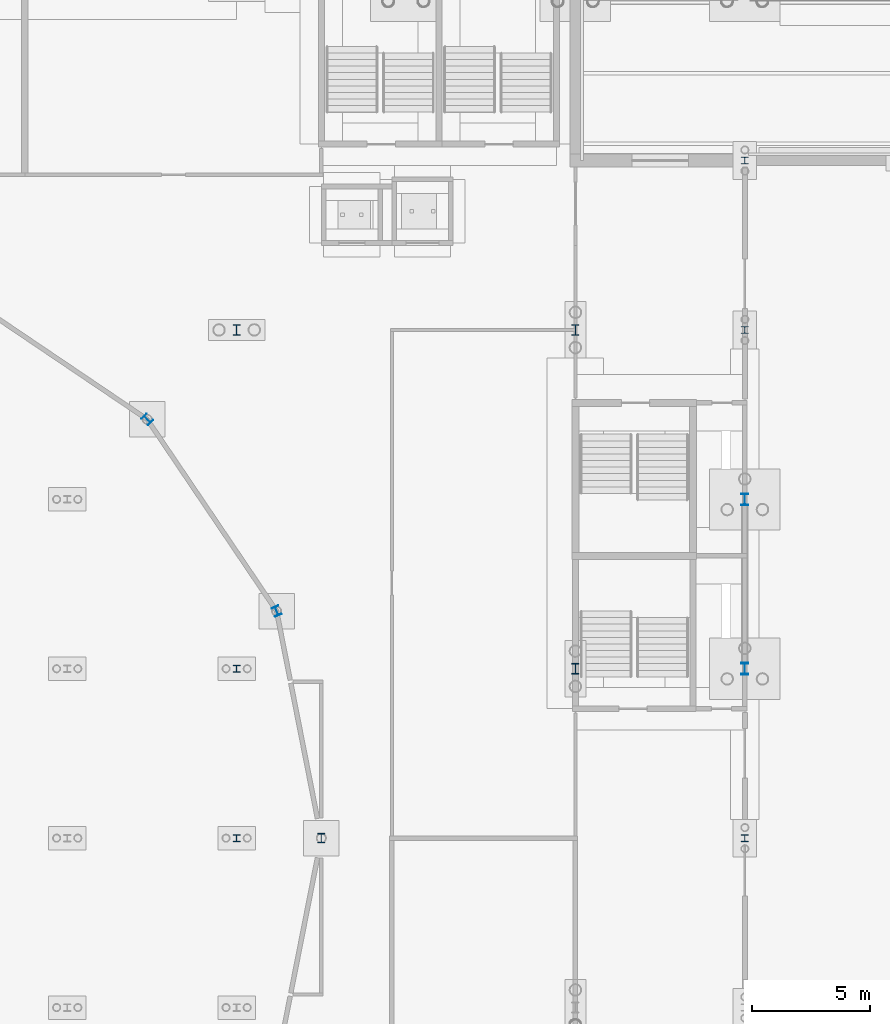
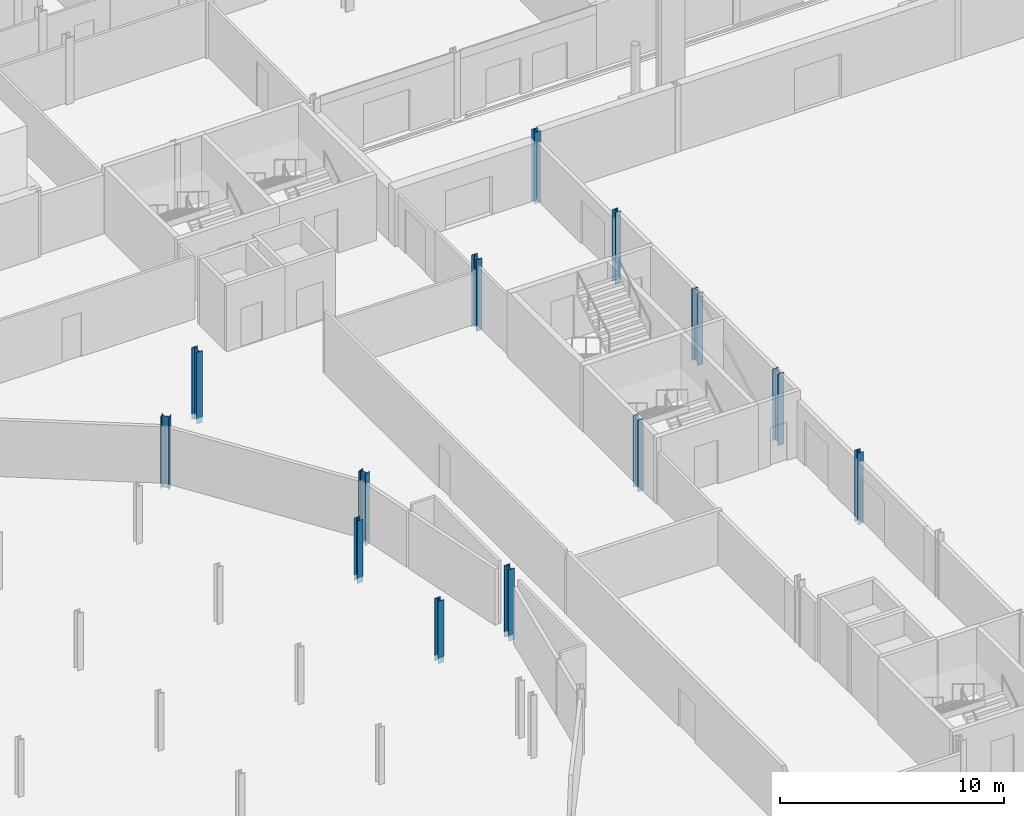
# One storey, part 49 of 148: 13 columns.
"""IFC4 building model written with IfcOpenShell, lengths in metres."""

from ifc_helpers import new_model, si_unit, direction, frame, origin, origin_2d, place, context, subcontext, project, spatial, i_section, extrude, material, material_profile, profile_set, type_object, element, save


model = new_model("IFC4")

# Units and contexts
model_context = context("Model", 3, precision=1e-05, world=origin(), true_north=direction((0.0, 1.0)))
body_context = subcontext(model_context, "Body", "Model", "MODEL_VIEW")
ifc_project = project(units=[si_unit("LENGTHUNIT", "METRE"), si_unit("AREAUNIT", "SQUARE_METRE"), si_unit("VOLUMEUNIT", "CUBIC_METRE"), si_unit("PLANEANGLEUNIT", "RADIAN"), si_unit("MASSUNIT", "GRAM", prefix="KILO")], contexts=[model_context])

# Site, building, storey
site_placement = place(None, origin())
site = spatial("IfcSite", under=ifc_project, at=site_placement, CompositionType="ELEMENT")
building_placement = place(site_placement, origin())
building = spatial("IfcBuilding", under=site, at=building_placement, Name="Kupolbacken Congress Centre", CompositionType="ELEMENT")
storey_placement = place(building_placement, origin())
storey = spatial("IfcBuildingStorey", under=building, at=storey_placement, Name="L00", CompositionType="ELEMENT", Elevation=0.0)

# Columns
ifc_material_1 = material(Name="Steel S355", Category="steel")
ifc_material_profile_1 = material_profile(ifc_material_1, i_section(OverallWidth=0.300048828125, OverallDepth=0.449951171875, WebThickness=0.013916015625, FlangeThickness=0.02587890625, FilletRadius=0.027099609375, at=origin_2d()), Name="HEB 450")
ifc_profile_set_1 = profile_set([ifc_material_profile_1], Name="Steel S355")
column_type_1 = type_object("IfcColumnType", Name="C03 column HEB 450", PredefinedType="COLUMN", material=ifc_profile_set_1)
for number, where, z_axis, x_axis, name in (
    (1, (79.199951171875, 93.60009765625, -0.300048828125), (0.0, 0.0, 1.0), (1.0, 0.0, 0.0), "S/col/C-P-12P/L00"),
    (2, (79.199951171875, 108.0, -0.300048828125), (0.0, 0.0, 1.0), (1.0, 0.0, 0.0), "S/col/C-P-12R/L00"),
    (3, (64.800048828125, 108.0, -0.300048828125), (0.0, 0.0, 1.0), (1.0, 0.0, 0.0), "S/col/C-P-10R/L00"),
):
    element("IfcColumn", number, at=place(storey_placement, frame(where, z_axis=z_axis, x_axis=x_axis)), inside=storey, type_object=column_type_1, Name=name, PredefinedType="COLUMN", context=body_context, shape_type="SweptSolid", body=[
        extrude(i_section(OverallWidth=0.300048828125, OverallDepth=0.449951171875, WebThickness=0.013916015625, FlangeThickness=0.02587890625, FilletRadius=0.027099609375, at=origin_2d()), origin(), (0.0, 0.0, 1.0), 3.900146484375),
    ])
ifc_material_2 = material(Name="Steel S355", Category="steel")
ifc_material_profile_2 = material_profile(ifc_material_2, i_section(OverallWidth=0.300048828125, OverallDepth=0.300048828125, WebThickness=0.010986328125, FlangeThickness=0.01904296875, FilletRadius=0.027099609375, at=origin_2d()), Name="HEB 300")
ifc_profile_set_2 = profile_set([ifc_material_profile_2], Name="Steel S355")
column_type_2 = type_object("IfcColumnType", Name="C06 column HEB 300", PredefinedType="COLUMN", material=ifc_profile_set_2)
for number, where, z_axis, x_axis, name in (
    (4, (64.800048828125, 86.39990234375, -0.300048828125), (0.0, 0.0, 1.0), (1.0, 0.0, 0.0), "S/col/C-PL-648-864/L00"),
    (5, (64.800048828125, 93.60009765625, -0.300048828125), (0.0, 0.0, 1.0), (1.0, 0.0, 0.0), "S/col/C-PL-648-936/L00"),
):
    element("IfcColumn", number, at=place(storey_placement, frame(where, z_axis=z_axis, x_axis=x_axis)), inside=storey, type_object=column_type_2, Name=name, PredefinedType="COLUMN", context=body_context, shape_type="SweptSolid", body=[
        extrude(i_section(OverallWidth=0.300048828125, OverallDepth=0.300048828125, WebThickness=0.010986328125, FlangeThickness=0.01904296875, FilletRadius=0.027099609375, at=origin_2d()), origin(), (0.0, 0.0, 1.0), 3.41015625),
    ])
ifc_material_3 = material(Name="Steel S355", Category="steel")
ifc_material_profile_3 = material_profile(ifc_material_3, i_section(OverallWidth=0.300048828125, OverallDepth=0.39990234375, WebThickness=0.013427734375, FlangeThickness=0.02392578125, FilletRadius=0.027099609375, at=origin_2d()), Name="HEB 400")
ifc_profile_set_3 = profile_set([ifc_material_profile_3], Name="Steel S355")
column_type_3 = type_object("IfcColumnType", Name="C08 column HEB 400", PredefinedType="COLUMN", material=ifc_profile_set_3)
for number, where, z_axis, x_axis, name in (
    (6, (68.39990234375, 86.39990234375, -0.300048828125), (0.0, 0.0, 1.0), (1.0, 0.0, 0.0), "S/col/C-D01/L00"),
    (7, (66.5, 96.050048828125, -0.300048828125), (0.0, 0.0, 1.0), (0.923896018243, 0.382643629864, 0.0), "S/col/C-D02/L00"),
    (8, (61.0, 104.199951171875, -0.300048828125), (0.0, 0.0, 1.0), (0.707106781187, 0.707106781187, 0.0), "S/col/C-D03/L00"),
):
    element("IfcColumn", number, at=place(storey_placement, frame(where, z_axis=z_axis, x_axis=x_axis)), inside=storey, type_object=column_type_3, Name=name, PredefinedType="COLUMN", context=body_context, shape_type="SweptSolid", body=[
        extrude(i_section(OverallWidth=0.300048828125, OverallDepth=0.39990234375, WebThickness=0.013427734375, FlangeThickness=0.02392578125, FilletRadius=0.027099609375, at=origin_2d()), origin(), (0.0, 0.0, 1.0), 3.900146484375),
    ])
ifc_material_4 = material(Name="Steel S355", Category="steel")
ifc_material_profile_4 = material_profile(ifc_material_4, i_section(OverallWidth=0.300048828125, OverallDepth=0.2900390625, WebThickness=0.008544921875, FlangeThickness=0.013916015625, FilletRadius=0.027099609375, at=origin_2d()), Name="HEA 300")
ifc_profile_set_4 = profile_set([ifc_material_profile_4], Name="Steel S355")
column_type_4 = type_object("IfcColumnType", Name="C09 column HEA 300", PredefinedType="COLUMN", material=ifc_profile_set_4)
for number, where, z_axis, x_axis, name in (
    (9, (86.39990234375, 86.39990234375, -0.300048828125), (0.0, 0.0, 1.0), (1.0, 0.0, 0.0), "S/col/C-H-PW07/L00"),
    (10, (86.39990234375, 108.0, -0.300048828125), (0.0, 0.0, 1.0), (1.0, 0.0, 0.0), "S/col/C-H-PW10/L00"),
    (11, (86.39990234375, 115.199951171875, -0.300048828125), (0.0, 0.0, 1.0), (1.0, 0.0, 0.0), "S/col/C-H-PW11/L00"),
):
    element("IfcColumn", number, at=place(storey_placement, frame(where, z_axis=z_axis, x_axis=x_axis)), inside=storey, type_object=column_type_4, Name=name, PredefinedType="COLUMN", context=body_context, shape_type="SweptSolid", body=[
        extrude(i_section(OverallWidth=0.300048828125, OverallDepth=0.2900390625, WebThickness=0.008544921875, FlangeThickness=0.013916015625, FilletRadius=0.027099609375, at=origin_2d()), origin(), (0.0, 0.0, 1.0), 3.900146484375),
    ])
ifc_material_5 = material(Name="Steel S355", Category="steel")
ifc_material_profile_5 = material_profile(ifc_material_5, i_section(OverallWidth=0.300048828125, OverallDepth=0.489990234375, WebThickness=0.011962890625, FlangeThickness=0.02294921875, FilletRadius=0.027099609375, at=origin_2d()), Name="HEA 500")
ifc_profile_set_5 = profile_set([ifc_material_profile_5], Name="Steel S355")
column_type_5 = type_object("IfcColumnType", Name="C14 column HEA 500", PredefinedType="COLUMN", material=ifc_profile_set_5)
for number, where, z_axis, x_axis, name in (
    (12, (86.39990234375, 93.60009765625, -0.300048828125), (0.0, 0.0, 1.0), (1.0, 0.0, 0.0), "S/col/C-H-PW08/L00"),
    (13, (86.39990234375, 100.800048828125, -0.300048828125), (0.0, 0.0, 1.0), (1.0, 0.0, 0.0), "S/col/C-H-PW09/L00"),
):
    element("IfcColumn", number, at=place(storey_placement, frame(where, z_axis=z_axis, x_axis=x_axis)), inside=storey, type_object=column_type_5, Name=name, PredefinedType="COLUMN", context=body_context, shape_type="SweptSolid", body=[
        extrude(i_section(OverallWidth=0.300048828125, OverallDepth=0.489990234375, WebThickness=0.011962890625, FlangeThickness=0.02294921875, FilletRadius=0.027099609375, at=origin_2d()), origin(), (0.0, 0.0, 1.0), 3.900146484375),
    ])

save(model, "model.ifc")
